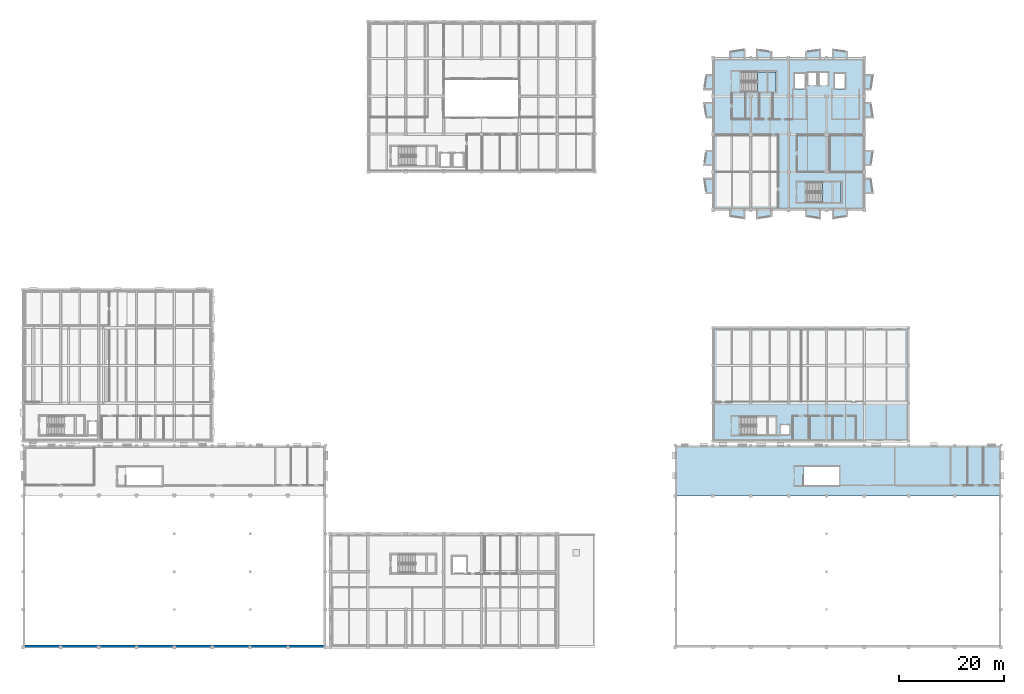
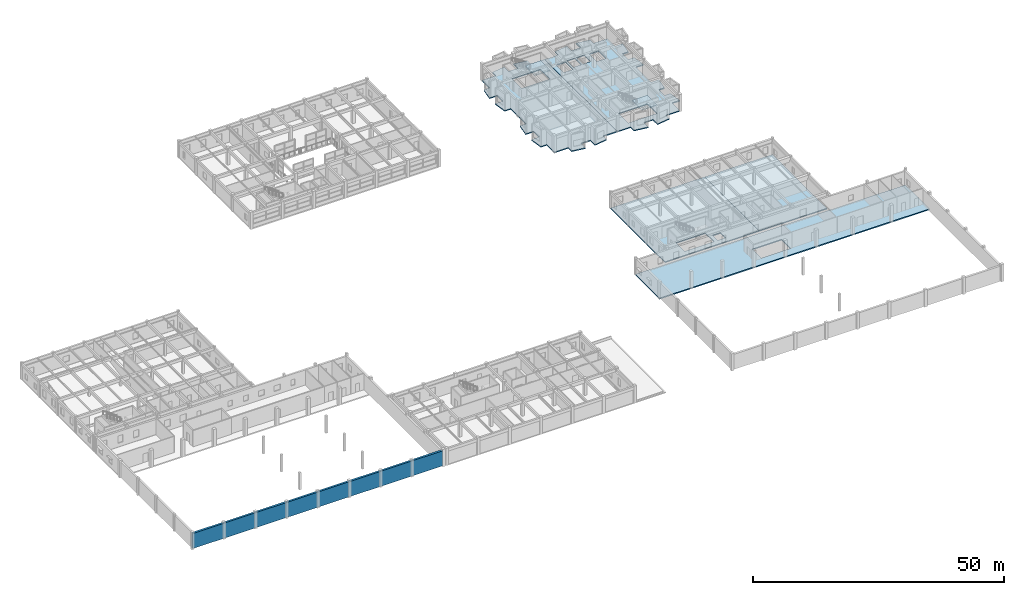
# One storey, part 25 of 49: 7 slabs, 1 wall, 2 elements without a shape of their own.
"""IFC4 building model written with IfcOpenShell, lengths in metres."""

from ifc_helpers import new_model, si_unit, direction, frame, frame_2d, origin, place, context, subcontext, project, spatial, polyline, rectangle, outline, extrude, material, layer, layer_set, type_object, element, aggregate, save


model = new_model("IFC4")

# Units and contexts
model_context = context("Model", 3, precision=1e-05, world=origin(), true_north=direction((0.0, 1.0)))
body_context = subcontext(model_context, "Body", "Model", "MODEL_VIEW")
ifc_project = project(units=[si_unit("LENGTHUNIT", "METRE"), si_unit("AREAUNIT", "SQUARE_METRE"), si_unit("VOLUMEUNIT", "CUBIC_METRE"), si_unit("PLANEANGLEUNIT", "RADIAN"), si_unit("MASSUNIT", "GRAM", prefix="KILO")], contexts=[model_context])

# Site, building, storey
site_placement = place(None, origin())
site = spatial("IfcSite", under=ifc_project, at=site_placement, CompositionType="ELEMENT")
building_placement = place(site_placement, origin())
building = spatial("IfcBuilding", under=site, at=building_placement, Name="Bramveld Media Centre", CompositionType="ELEMENT")
storey_placement = place(building_placement, frame((0.0, 0.0, 9.60009765625)))
storey = spatial("IfcBuildingStorey", under=building, at=storey_placement, Name="L02", CompositionType="ELEMENT", Elevation=9.60009765625)

# Slabs
ifc_material_1 = material(Name="Concrete C40/50", Category="concrete")
ifc_layer_1 = layer(ifc_material_1, 0.239990234375)
ifc_layer_set_1 = layer_set([ifc_layer_1], Name="Concrete C40/50")
slab_type_1 = type_object("IfcSlabType", Name="SLAB-FLOOR-INT-240", PredefinedType="FLOOR", material=ifc_layer_set_1)
slab_1_placement = place(storey_placement, frame((0.0, 0.0, -0.239990234375)))
element("IfcSlab", 1, at=slab_1_placement, inside=storey, type_object=slab_type_1, Name="V4 L02 structural slab 1", PredefinedType="FLOOR", context=body_context, shape_type="SweptSolid", body=[
    extrude(outline(polyline([(131.199951171875, 60.800048828125), (152.800048828125, 60.800048828125), (152.800048828125, 39.199951171875), (131.199951171875, 39.199951171875), (131.199951171875, 60.800048828125)]), holes=[polyline([(145.800048828125, 40.39990234375), (145.800048828125, 42.39990234375), (144.0, 42.39990234375), (144.0, 40.39990234375), (145.800048828125, 40.39990234375)]), polyline([(136.39990234375, 40.39990234375), (143.199951171875, 40.39990234375), (143.199951171875, 43.85009765625), (136.39990234375, 43.85009765625), (136.39990234375, 40.39990234375)])]), origin(), (0.0, 0.0, 1.0), 0.239990234375),
])
slab_2_placement = place(storey_placement, frame((0.0, 0.0, -0.239990234375)))
element("IfcSlab", 2, at=slab_2_placement, inside=storey, type_object=slab_type_1, Name="V4 L02 structural slab 2", PredefinedType="FLOOR", context=body_context, shape_type="SweptSolid", body=[
    extrude(outline(polyline([(168.39990234375, 39.199951171875), (152.800048828125, 39.199951171875), (152.800048828125, 60.800048828125), (168.39990234375, 60.800048828125), (168.39990234375, 39.199951171875)])), origin(), (0.0, 0.0, 1.0), 0.239990234375),
])
ifc_material_2 = material(Name="Concrete C40/50", Category="concrete")
ifc_layer_2 = layer(ifc_material_2, 0.25)
ifc_layer_set_2 = layer_set([ifc_layer_2], Name="Concrete C40/50")
slab_type_2 = type_object("IfcSlabType", Name="SLAB-FLOOR-INT-250", PredefinedType="FLOOR", material=ifc_layer_set_2)
slab_3_placement = place(storey_placement, frame((0.0, 0.0, -0.25)))
element("IfcSlab", 3, at=slab_3_placement, inside=storey, type_object=slab_type_2, Name="V7 L02 structural slab 1", PredefinedType="FLOOR", context=body_context, shape_type="SweptSolid", body=[
    extrude(outline(polyline([(131.199951171875, 86.25), (129.85009765625, 86.25), (129.406982421875, 89.25), (131.199951171875, 89.25), (131.199951171875, 91.550048828125), (129.406982421875, 91.550048828125), (129.85009765625, 94.550048828125), (131.199951171875, 94.550048828125), (131.199951171875, 100.64990234375), (129.85009765625, 100.64990234375), (129.406982421875, 103.64990234375), (131.199951171875, 103.64990234375), (131.199951171875, 105.949951171875), (129.406982421875, 105.949951171875), (129.85009765625, 108.949951171875), (131.199951171875, 108.949951171875), (131.199951171875, 112.0), (134.35009765625, 112.0), (134.35009765625, 113.35009765625), (137.35009765625, 113.79296875), (137.35009765625, 112.0), (139.449951171875, 112.0), (139.449951171875, 113.79296875), (142.449951171875, 113.35009765625), (142.449951171875, 112.0), (145.60009765625, 112.0), (145.60009765625, 83.199951171875), (142.449951171875, 83.199951171875), (142.449951171875, 81.85009765625), (139.449951171875, 81.406982421875), (139.449951171875, 83.199951171875), (137.35009765625, 83.199951171875), (137.35009765625, 81.406982421875), (134.35009765625, 81.85009765625), (134.35009765625, 83.199951171875), (131.199951171875, 83.199951171875), (131.199951171875, 86.25)]), holes=[polyline([(143.199951171875, 109.449951171875), (136.60009765625, 109.449951171875), (136.60009765625, 105.60009765625), (143.199951171875, 105.60009765625), (143.199951171875, 109.449951171875)])]), origin(), (0.0, 0.0, 1.0), 0.25),
])
slab_4_placement = place(storey_placement, frame((0.0, 0.0, -0.25)))
element("IfcSlab", 4, at=slab_4_placement, inside=storey, type_object=slab_type_2, Name="V7 L02 structural slab 2", PredefinedType="FLOOR", context=body_context, shape_type="SweptSolid", body=[
    extrude(outline(polyline([(148.75, 113.35009765625), (151.75, 113.79296875), (151.75, 112.0), (153.85009765625, 112.0), (153.85009765625, 113.79296875), (156.85009765625, 113.35009765625), (156.85009765625, 112.0), (160.0, 112.0), (160.0, 108.949951171875), (161.79296875, 108.949951171875), (161.35009765625, 105.949951171875), (160.0, 105.949951171875), (160.0, 103.64990234375), (161.35009765625, 103.64990234375), (161.79296875, 100.64990234375), (160.0, 100.64990234375), (160.0, 94.550048828125), (161.79296875, 94.550048828125), (161.35009765625, 91.550048828125), (160.0, 91.550048828125), (160.0, 89.25), (161.35009765625, 89.25), (161.79296875, 86.25), (160.0, 86.25), (160.0, 83.199951171875), (156.85009765625, 83.199951171875), (156.85009765625, 81.85009765625), (153.85009765625, 81.406982421875), (153.85009765625, 83.199951171875), (151.75, 83.199951171875), (151.75, 81.406982421875), (148.75, 81.85009765625), (148.75, 83.199951171875), (145.60009765625, 83.199951171875), (145.60009765625, 112.0), (148.75, 112.0), (148.75, 113.35009765625)]), holes=[polyline([(149.0, 88.449951171875), (149.0, 84.60009765625), (155.60009765625, 84.60009765625), (155.60009765625, 88.449951171875), (149.0, 88.449951171875)]), polyline([(146.60009765625, 109.199951171875), (146.60009765625, 106.199951171875), (148.800048828125, 106.199951171875), (148.800048828125, 109.199951171875), (146.60009765625, 109.199951171875)]), polyline([(154.199951171875, 106.199951171875), (156.39990234375, 106.199951171875), (156.39990234375, 109.199951171875), (154.199951171875, 109.199951171875), (154.199951171875, 106.199951171875)]), polyline([(149.199951171875, 109.39990234375), (149.199951171875, 106.800048828125), (151.0, 106.800048828125), (151.0, 109.39990234375), (149.199951171875, 109.39990234375)]), polyline([(151.39990234375, 109.39990234375), (151.39990234375, 106.800048828125), (153.199951171875, 106.800048828125), (153.199951171875, 109.39990234375), (151.39990234375, 109.39990234375)])]), origin(), (0.0, 0.0, 1.0), 0.25),
])
ifc_material_3 = material(Name="Concrete C40/50", Category="concrete")
ifc_layer_3 = layer(ifc_material_3, 0.260009765625)
ifc_layer_set_3 = layer_set([ifc_layer_3], Name="Concrete C40/50")
slab_type_3 = type_object("IfcSlabType", Name="SLAB-FLOOR-INT-260", PredefinedType="FLOOR", material=ifc_layer_set_3)
slab_5_placement = place(storey_placement, frame((0.0, 0.0, -0.260009765625)))
element("IfcSlab", 5, at=slab_5_placement, inside=storey, type_object=slab_type_3, Name="V1 L02 structural slab 1", PredefinedType="FLOOR", context=body_context, shape_type="SweptSolid", body=[
    extrude(outline(polyline([(124.0, 38.39990234375), (186.0, 38.39990234375), (186.0, 28.800048828125), (124.0, 28.800048828125), (124.0, 38.39990234375)]), holes=[polyline([(155.199951171875, 30.800048828125), (155.199951171875, 34.35009765625), (148.449951171875, 34.35009765625), (148.449951171875, 30.800048828125), (155.199951171875, 30.800048828125)])]), origin(), (0.0, 0.0, 1.0), 0.260009765625),
])

# Stair, slab
ifc_material_4 = material(Name="Concrete C40/50", Category="concrete")
stair_type_1 = type_object("IfcStairType", Name="STAIR-ST-01-24R-1800", PredefinedType="HALF_TURN_STAIR", material=ifc_material_4)
stair_1_placement = place(storey_placement, origin())
stair_1 = element("IfcStair", 6, at=stair_1_placement, inside=storey, type_object=stair_type_1, Name="L02 Core A1 Pressurized Firefighting Stair", PredefinedType="HALF_TURN_STAIR")
ifc_material_5 = material(Name="Concrete C40/50", Category="concrete")
ifc_layer_4 = layer(ifc_material_5, 0.199951171875)
ifc_layer_set_4 = layer_set([ifc_layer_4], Name="Concrete C40/50")
slab_type_4 = type_object("IfcSlabType", Name="SLAB-STAIR-LAND-200", PredefinedType="LANDING", material=ifc_layer_set_4)
slab_6_placement = place(storey_placement, frame((0.0, 0.0, 1.89990234375)))
slab_6 = element("IfcSlab", 7, at=slab_6_placement, type_object=slab_type_4, Name="ST-01 landing 1", PredefinedType="LANDING", context=body_context, shape_type="SweptSolid", body=[
    extrude(outline(polyline([(139.679931640625, 105.60009765625), (143.199951171875, 105.60009765625), (143.199951171875, 109.449951171875), (139.679931640625, 109.449951171875), (139.679931640625, 105.60009765625)])), origin(), (0.0, 0.0, 1.0), 0.199951171875),
])
aggregate(stair_1, [slab_6])

ifc_material_6 = material(Name="Concrete C40/50", Category="concrete")
stair_type_2 = type_object("IfcStairType", Name="STAIR-ST-02-24R-1800", PredefinedType="HALF_TURN_STAIR", material=ifc_material_6)
stair_2_placement = place(storey_placement, origin())
stair_2 = element("IfcStair", 8, at=stair_2_placement, inside=storey, type_object=stair_type_2, Name="L02 Core A2 Pressurized Escape Stair", PredefinedType="HALF_TURN_STAIR")
slab_7_placement = place(storey_placement, frame((0.0, 0.0, 1.89990234375)))
slab_7 = element("IfcSlab", 9, at=slab_7_placement, type_object=slab_type_4, Name="ST-02 landing 1", PredefinedType="LANDING", context=body_context, shape_type="SweptSolid", body=[
    extrude(outline(polyline([(152.080078125, 84.60009765625), (155.60009765625, 84.60009765625), (155.60009765625, 88.449951171875), (152.080078125, 88.449951171875), (152.080078125, 84.60009765625)])), origin(), (0.0, 0.0, 1.0), 0.199951171875),
])
aggregate(stair_2, [slab_7])

# Wall
ifc_material_7 = material(Name="Flemish red-brown clay facing brick cavity wall with concrete C35/45 inner leaf", Category="masonry")
ifc_layer_5 = layer(ifc_material_7, 0.4599609375)
ifc_layer_set_5 = layer_set([ifc_layer_5], Name="Flemish red-brown clay facing brick cavity wall with concrete C35/45 inner leaf")
wall_type = type_object("IfcWallType", Name="EW-BRK-460", PredefinedType="SOLIDWALL", material=ifc_layer_set_5)
wall_placement = place(storey_placement, frame((57.60009765625, 0.22998046875, 0.0), z_axis=(0.0, 0.0, 1.0), x_axis=(-1.0, 0.0, 0.0)))
element("IfcWall", 10, at=wall_placement, inside=storey, type_object=wall_type, Name="V2 L02 S facing brick exterior wall", PredefinedType="SOLIDWALL", context=body_context, shape_type="SweptSolid", body=[
    extrude(rectangle(XDim=57.60009765625, YDim=0.4599609375, at=frame_2d((28.800048828125, 0.0))), origin(), (0.0, 0.0, 1.0), 3.6748046875),
])

save(model, "model.ifc")
